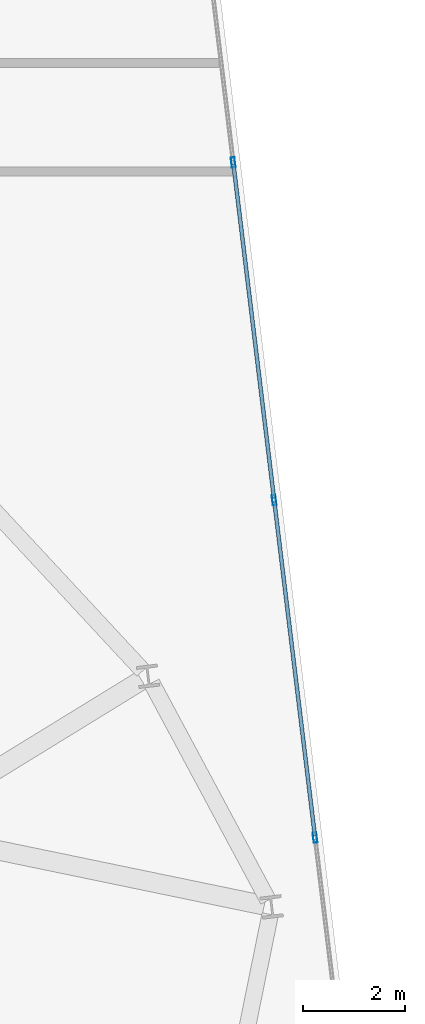
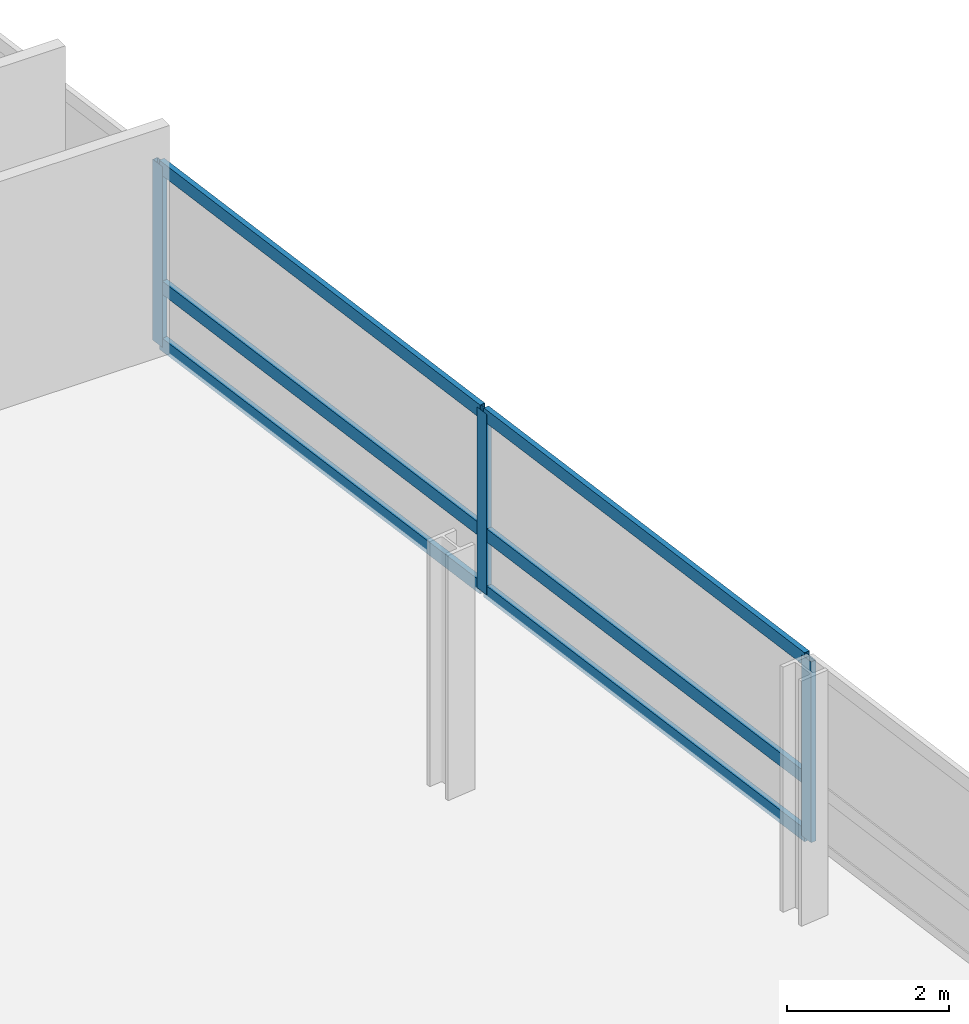
# One storey, part 11 of 22: 9 members, 1 element without a shape of its own.
"""IFC4 building model written with IfcOpenShell, lengths in metres."""

import ifcopenshell
import ifcopenshell.guid

model = None  # the IFC model being written
_history = None  # IfcOwnerHistory: only IFC2X3 demands one
_inside = {}  # id of a spatial element -> (the spatial element, [elements in it])
_under = {}  # id of a project, library or spatial element -> (it, [spatial elements below it])
_declared = {}  # id of a project -> (the project, [libraries it declares])
_typed = {}  # id of a type object -> (the type object, [elements of that type])
_made_of = {}  # id of a material, layer set ... -> (it, [elements and type objects made of it])


def new_model(schema):
    """Start an empty IFC model of exactly this schema.

    Asked for "IFC4X3", IfcOpenShell would pick the latest addendum, in which some entities
    have other attributes; the version numbers below select the first issue.
    IFC2X3 requires an IfcOwnerHistory on every rooted entity: one is made here for all.
    """
    global model, _history
    if schema == "IFC4X3":
        model = ifcopenshell.file(schema_version=(4, 3, 0, 0))
    else:
        model = ifcopenshell.file(schema=schema)
    _inside.clear()
    _under.clear()
    _declared.clear()
    _typed.clear()
    _made_of.clear()
    _history = None
    if model.schema == "IFC2X3":
        org = make("IfcOrganization", Name="unknown")
        user = make(
            "IfcPersonAndOrganization",
            ThePerson=make("IfcPerson", FamilyName="unknown"),
            TheOrganization=org,
        )
        app = make(
            "IfcApplication",
            ApplicationDeveloper=org,
            Version="unknown",
            ApplicationFullName="unknown",
            ApplicationIdentifier="unknown",
        )
        _history = make(
            "IfcOwnerHistory",
            OwningUser=user,
            OwningApplication=app,
            ChangeAction="ADDED",
            CreationDate=0,
        )
    return model


def make(cls, **values):
    """One entity of the class cls with the attributes given. An attribute that is None is left unset."""
    return model.create_entity(
        cls, **{name: value for name, value in values.items() if value is not None}
    )


def rooted(cls, **values):
    """An entity with a GlobalId (a new one), such as an element, a storey or a relation."""
    return make(cls, GlobalId=ifcopenshell.guid.new(), OwnerHistory=_history, **values)


def si_unit(unit_type, name, prefix=None):
    """IfcSIUnit, for example si_unit("LENGTHUNIT", "METRE", prefix="MILLI")."""
    return make("IfcSIUnit", UnitType=unit_type, Prefix=prefix, Name=name)


def assignment(units):
    """IfcUnitAssignment: the units of a project."""
    return None if units is None else make("IfcUnitAssignment", Units=units)


def point(xyz):
    """IfcCartesianPoint."""
    return None if xyz is None else make("IfcCartesianPoint", Coordinates=xyz)


def direction(xyz):
    """IfcDirection."""
    return None if xyz is None else make("IfcDirection", DirectionRatios=xyz)


def frame(location, z_axis=None, x_axis=None):
    """IfcAxis2Placement3D, a coordinate frame: its origin and axes. An axis left out is left unset."""
    return make(
        "IfcAxis2Placement3D",
        Location=point(location),
        Axis=direction(z_axis),
        RefDirection=direction(x_axis),
    )


def frame_2d(location, x_axis=None):
    """IfcAxis2Placement2D, a coordinate frame in the plane: its origin and x axis."""
    return make(
        "IfcAxis2Placement2D", Location=point(location), RefDirection=direction(x_axis)
    )


def origin():
    """The frame at (0, 0, 0) with its axes left unset."""
    return frame((0.0, 0.0, 0.0))


def origin_2d():
    """The frame at (0, 0) in the plane with its x axis left unset."""
    return frame_2d((0.0, 0.0))


def place(relative_to, where):
    """IfcLocalPlacement: puts the frame where relative to a parent placement (None: the world)."""
    return make(
        "IfcLocalPlacement", PlacementRelTo=relative_to, RelativePlacement=where
    )


def context(
    kind, dimensions, precision=None, world=None, true_north=None, identifier=None
):
    """IfcGeometricRepresentationContext, for example the 3D "Model" context."""
    return make(
        "IfcGeometricRepresentationContext",
        ContextIdentifier=identifier,
        ContextType=kind,
        CoordinateSpaceDimension=dimensions,
        Precision=precision,
        WorldCoordinateSystem=world,
        TrueNorth=true_north,
    )


def subcontext(parent, identifier, kind, view, scale=None):
    """IfcGeometricRepresentationSubContext, for example "Body" below "Model"."""
    return make(
        "IfcGeometricRepresentationSubContext",
        ContextIdentifier=identifier,
        ContextType=kind,
        ParentContext=parent,
        TargetScale=scale,
        TargetView=view,
    )


def project(units=None, contexts=None):
    """IfcProject with its units and contexts."""
    return rooted(
        "IfcProject",
        Name="project",
        RepresentationContexts=contexts,
        UnitsInContext=assignment(units),
    )


def spatial(cls, under=None, at=None, **own):
    """A site, building, storey or space (cls), placed at a placement, below another one or the project."""
    s = rooted(cls, ObjectPlacement=at, **own)
    if under is not None:
        _under.setdefault(under.id(), (under, []))[1].append(s)
    return s


def profile(cls, at=None, kind="AREA", **sizes):
    """A parametric profile (cls). Its sizes go by their IFC names, for example OverallWidth=200.0."""
    return make(cls, ProfileType=kind, Position=at, **sizes)


def hollow_rectangle(**sizes):
    """IfcRectangleHollowProfileDef."""
    return profile("IfcRectangleHollowProfileDef", **sizes)


def extrude(swept, where, along, depth):
    """IfcExtrudedAreaSolid: the profile swept, set in the frame where, extruded along a direction by depth."""
    return make(
        "IfcExtrudedAreaSolid",
        SweptArea=swept,
        Position=where,
        ExtrudedDirection=direction(along),
        Depth=depth,
    )


def shape(context_of_items, identifier, shape_type, items):
    """IfcShapeRepresentation: the items that make up one representation, for example the "Body"."""
    return make(
        "IfcShapeRepresentation",
        ContextOfItems=context_of_items,
        RepresentationIdentifier=identifier,
        RepresentationType=shape_type,
        Items=items,
    )


def material(Name=None, Category=None):
    """IfcMaterial."""
    return make("IfcMaterial", Name=Name, Category=Category)


def layer(
    of_material, thickness, ventilated=None, Name=None, Category=None, Priority=None
):
    """IfcMaterialLayer: one layer of a wall or slab, of a material (None: an air gap)."""
    return make(
        "IfcMaterialLayer",
        Material=of_material,
        LayerThickness=thickness,
        IsVentilated=ventilated,
        Name=Name,
        Category=Category,
        Priority=Priority,
    )


def layer_set(layers, Name=None):
    """IfcMaterialLayerSet."""
    return make("IfcMaterialLayerSet", MaterialLayers=layers, LayerSetName=Name)


def material_profile(
    of_material, cross_section, Name=None, Category=None, Priority=None
):
    """IfcMaterialProfile: a cross section and its material."""
    return make(
        "IfcMaterialProfile",
        Name=Name,
        Material=of_material,
        Profile=cross_section,
        Priority=Priority,
        Category=Category,
    )


def profile_set(profiles, Name=None, composite=None):
    """IfcMaterialProfileSet."""
    return make(
        "IfcMaterialProfileSet",
        Name=Name,
        MaterialProfiles=profiles,
        CompositeProfile=composite,
    )


def made_of(thing, what):
    """Note that an element or type object is made of a material, layer set ...; save() writes the relation."""
    if what is not None:
        _made_of.setdefault(what.id(), (what, []))[1].append(thing)
    return thing


def type_object(cls, material=None, **own):
    """A type object (cls), such as IfcWallType, which elements share."""
    return made_of(rooted(cls, **own), material)


def element(
    cls,
    number,
    at=None,
    inside=None,
    cuts=None,
    type_object=None,
    material=None,
    context=None,
    identifier="Body",
    shape_type=None,
    held_by="IfcProductDefinitionShape",
    body=None,
    shapes=None,
    **own,
):
    """One element of the class cls, such as IfcWall. Its Tag is "e" and its number.

    at: its placement. inside: the storey or other place that contains it. cuts: it is an
    opening in that element (IfcRelVoidsElement). A single representation is given by context,
    identifier, shape_type and body (its items); several are given by shapes. held_by: the class
    of the entity that holds the representations. save() writes the other relations.
    """
    e = rooted(cls, Tag="e%d" % number, ObjectPlacement=at, **own)
    if body is not None:
        shapes = [shape(context, identifier, shape_type, body)]
    if shapes is not None:
        e.Representation = make(held_by, Representations=shapes)
    if inside is not None:
        _inside.setdefault(inside.id(), (inside, []))[1].append(e)
    if cuts is not None:
        rooted(
            "IfcRelVoidsElement", RelatingBuildingElement=cuts, RelatedOpeningElement=e
        )
    if type_object is not None:
        _typed.setdefault(type_object.id(), (type_object, []))[1].append(e)
    return made_of(e, material)


def aggregate(whole, parts):
    """IfcRelAggregates: a whole, such as a stair, and the parts it consists of."""
    return rooted("IfcRelAggregates", RelatingObject=whole, RelatedObjects=parts)


def save(model, path):
    """Write the relations noted so far, then the file.

    IfcRelAggregates (storeys below a building ...), IfcRelContainedInSpatialStructure (elements
    in a storey), IfcRelDefinesByType, IfcRelAssociatesMaterial and IfcRelDeclares: one each for
    every whole, place, type object, material and project.
    """
    for whole, parts in _under.values():
        aggregate(whole, parts)
    for where, things in _inside.values():
        rooted(
            "IfcRelContainedInSpatialStructure",
            RelatedElements=things,
            RelatingStructure=where,
        )
    for kind, things in _typed.values():
        rooted("IfcRelDefinesByType", RelatedObjects=things, RelatingType=kind)
    for what, things in _made_of.values():
        rooted("IfcRelAssociatesMaterial", RelatedObjects=things, RelatingMaterial=what)
    for by, libraries in _declared.values():
        rooted("IfcRelDeclares", RelatingContext=by, RelatedDefinitions=libraries)
    model.write(path)


model = new_model("IFC4")

# Units and contexts
model_context = context("Model", 3, precision=1e-05, world=origin(), true_north=direction((0.0, 1.0)))
body_context = subcontext(model_context, "Body", "Model", "MODEL_VIEW")
ifc_project = project(units=[si_unit("LENGTHUNIT", "METRE"), si_unit("AREAUNIT", "SQUARE_METRE"), si_unit("VOLUMEUNIT", "CUBIC_METRE"), si_unit("PLANEANGLEUNIT", "RADIAN"), si_unit("MASSUNIT", "GRAM", prefix="KILO")], contexts=[model_context])

# Site, building, storey
site_placement = place(None, origin())
site = spatial("IfcSite", under=ifc_project, at=site_placement, CompositionType="ELEMENT")
building_placement = place(site_placement, origin())
building = spatial("IfcBuilding", under=site, at=building_placement, Name="Varnelok Gate Tower", CompositionType="ELEMENT")
storey_placement = place(building_placement, frame((0.0, 0.0, 185.699951171875)))
storey = spatial("IfcBuildingStorey", under=building, at=storey_placement, Name="L47", CompositionType="ELEMENT", Elevation=185.699951171875)

# Curtain wall, members
ifc_material = material(Name="Anodized Aluminum Alloy 6063-T6", Category="aluminium")
ifc_layer = layer(ifc_material, 0.179931640625)
ifc_layer_set = layer_set([ifc_layer], Name="Anodized Aluminum Alloy 6063-T6")
curtain_wall_type = type_object("IfcCurtainWallType", Name="CW4-RESIDENCE-VISION", PredefinedType="USERDEFINED", material=ifc_layer_set)
curtain_wall_placement = place(storey_placement, origin())
curtain_wall = element("IfcCurtainWall", 1, at=curtain_wall_placement, inside=storey, type_object=curtain_wall_type, Name="L47 East End Vision Curtain Wall", ObjectType="UNITISED CURTAIN WALL", PredefinedType="USERDEFINED")
ifc_material_profile_1 = material_profile(ifc_material, hollow_rectangle(XDim=0.074951171875, YDim=0.199951171875, WallThickness=0.00390625, at=origin_2d()), Name="ALU200X75X4")
ifc_profile_set_1 = profile_set([ifc_material_profile_1], Name="Anodized Aluminum Alloy 6063-T6")
member_type_1 = type_object("IfcMemberType", Name="CW-MULL-200", PredefinedType="MULLION", material=ifc_profile_set_1)
member_1_placement = place(storey_placement, frame((72.898681640625, 39.478515625, 0.0), z_axis=(0.0, 0.0, 1.0), x_axis=(0.992732188751, 0.120344511371, 0.0)))
member_1 = element("IfcMember", 2, at=member_1_placement, type_object=member_type_1, Name="CW4 mullion 2", PredefinedType="MULLION", context=body_context, shape_type="SweptSolid", body=[
    extrude(hollow_rectangle(XDim=0.074951171875, YDim=0.199951171875, WallThickness=0.00390625, at=origin_2d()), origin(), (0.0, 0.0, 1.0), 2.72998046875),
])
member_2_placement = place(storey_placement, frame((73.702392578125, 32.846923828125, 0.0), z_axis=(0.0, 0.0, 1.0), x_axis=(0.992732188751, 0.120344511371, 0.0)))
member_2 = element("IfcMember", 3, at=member_2_placement, type_object=member_type_1, Name="CW4 mullion 3", PredefinedType="MULLION", context=body_context, shape_type="SweptSolid", body=[
    extrude(hollow_rectangle(XDim=0.074951171875, YDim=0.199951171875, WallThickness=0.00390625, at=origin_2d()), origin(), (0.0, 0.0, 1.0), 2.72998046875),
])
member_3_placement = place(storey_placement, frame((74.50634765625, 26.215576171875, 0.0), z_axis=(0.0, 0.0, 1.0), x_axis=(0.992732188751, 0.120344511371, 0.0)))
member_3 = element("IfcMember", 4, at=member_3_placement, type_object=member_type_1, Name="CW4 mullion 4", PredefinedType="MULLION", context=body_context, shape_type="SweptSolid", body=[
    extrude(hollow_rectangle(XDim=0.074951171875, YDim=0.199951171875, WallThickness=0.00390625, at=origin_2d()), origin(), (0.0, 0.0, 1.0), 2.72998046875),
])
ifc_material_profile_2 = material_profile(ifc_material, hollow_rectangle(XDim=0.074951171875, YDim=0.199951171875, WallThickness=0.00390625, at=origin_2d()), Name="ALU200X75X4")
ifc_profile_set_2 = profile_set([ifc_material_profile_2], Name="Anodized Aluminum Alloy 6063-T6")
member_type_2 = type_object("IfcMemberType", Name="CW-TRAN-200", PredefinedType="USERDEFINED", material=ifc_profile_set_2)
member_4_placement = place(storey_placement, frame((72.903076171875, 39.441162109375, 0.03759765625), z_axis=(0.120353445289, -0.992731105691, 0.0), x_axis=(0.992731105691, 0.120353445289, 0.0)))
member_4 = element("IfcMember", 5, at=member_4_placement, type_object=member_type_2, Name="CW4 transom 2.1", ObjectType="TRANSOM", PredefinedType="USERDEFINED", context=body_context, shape_type="SweptSolid", body=[
    extrude(hollow_rectangle(XDim=0.074951171875, YDim=0.199951171875, WallThickness=0.00390625, at=origin_2d()), origin(), (0.0, 0.0, 1.0), 6.60498046875),
])
member_5_placement = place(storey_placement, frame((72.903076171875, 39.441162109375, 0.900146484375), z_axis=(0.120353445289, -0.992731105691, 0.0), x_axis=(0.992731105691, 0.120353445289, 0.0)))
member_5 = element("IfcMember", 6, at=member_5_placement, type_object=member_type_2, Name="CW4 transom 2.2", ObjectType="TRANSOM", PredefinedType="USERDEFINED", context=body_context, shape_type="SweptSolid", body=[
    extrude(hollow_rectangle(XDim=0.074951171875, YDim=0.199951171875, WallThickness=0.00390625, at=origin_2d()), origin(), (0.0, 0.0, 1.0), 6.60498046875),
])
member_6_placement = place(storey_placement, frame((72.903076171875, 39.441162109375, 2.692626953125), z_axis=(0.120353445289, -0.992731105691, 0.0), x_axis=(0.992731105691, 0.120353445289, 0.0)))
member_6 = element("IfcMember", 7, at=member_6_placement, type_object=member_type_2, Name="CW4 transom 2.3", ObjectType="TRANSOM", PredefinedType="USERDEFINED", context=body_context, shape_type="SweptSolid", body=[
    extrude(hollow_rectangle(XDim=0.074951171875, YDim=0.199951171875, WallThickness=0.00390625, at=origin_2d()), origin(), (0.0, 0.0, 1.0), 6.60498046875),
])
member_7_placement = place(storey_placement, frame((73.70703125, 32.809814453125, 0.03759765625), z_axis=(0.120349029092, -0.992731641078, 0.0), x_axis=(0.992731641078, 0.120349029092, 0.0)))
member_7 = element("IfcMember", 8, at=member_7_placement, type_object=member_type_2, Name="CW4 transom 3.1", ObjectType="TRANSOM", PredefinedType="USERDEFINED", context=body_context, shape_type="SweptSolid", body=[
    extrude(hollow_rectangle(XDim=0.074951171875, YDim=0.199951171875, WallThickness=0.00390625, at=origin_2d()), origin(), (0.0, 0.0, 1.0), 6.605224609375),
])
member_8_placement = place(storey_placement, frame((73.70703125, 32.809814453125, 0.900146484375), z_axis=(0.120349029092, -0.992731641078, 0.0), x_axis=(0.992731641078, 0.120349029092, 0.0)))
member_8 = element("IfcMember", 9, at=member_8_placement, type_object=member_type_2, Name="CW4 transom 3.2", ObjectType="TRANSOM", PredefinedType="USERDEFINED", context=body_context, shape_type="SweptSolid", body=[
    extrude(hollow_rectangle(XDim=0.074951171875, YDim=0.199951171875, WallThickness=0.00390625, at=origin_2d()), origin(), (0.0, 0.0, 1.0), 6.605224609375),
])
member_9_placement = place(storey_placement, frame((73.70703125, 32.809814453125, 2.692626953125), z_axis=(0.120349029092, -0.992731641078, 0.0), x_axis=(0.992731641078, 0.120349029092, 0.0)))
member_9 = element("IfcMember", 10, at=member_9_placement, type_object=member_type_2, Name="CW4 transom 3.3", ObjectType="TRANSOM", PredefinedType="USERDEFINED", context=body_context, shape_type="SweptSolid", body=[
    extrude(hollow_rectangle(XDim=0.074951171875, YDim=0.199951171875, WallThickness=0.00390625, at=origin_2d()), origin(), (0.0, 0.0, 1.0), 6.605224609375),
])
aggregate(curtain_wall, [member_1, member_2, member_3, member_4, member_5, member_6, member_7, member_8, member_9])

save(model, "model.ifc")
